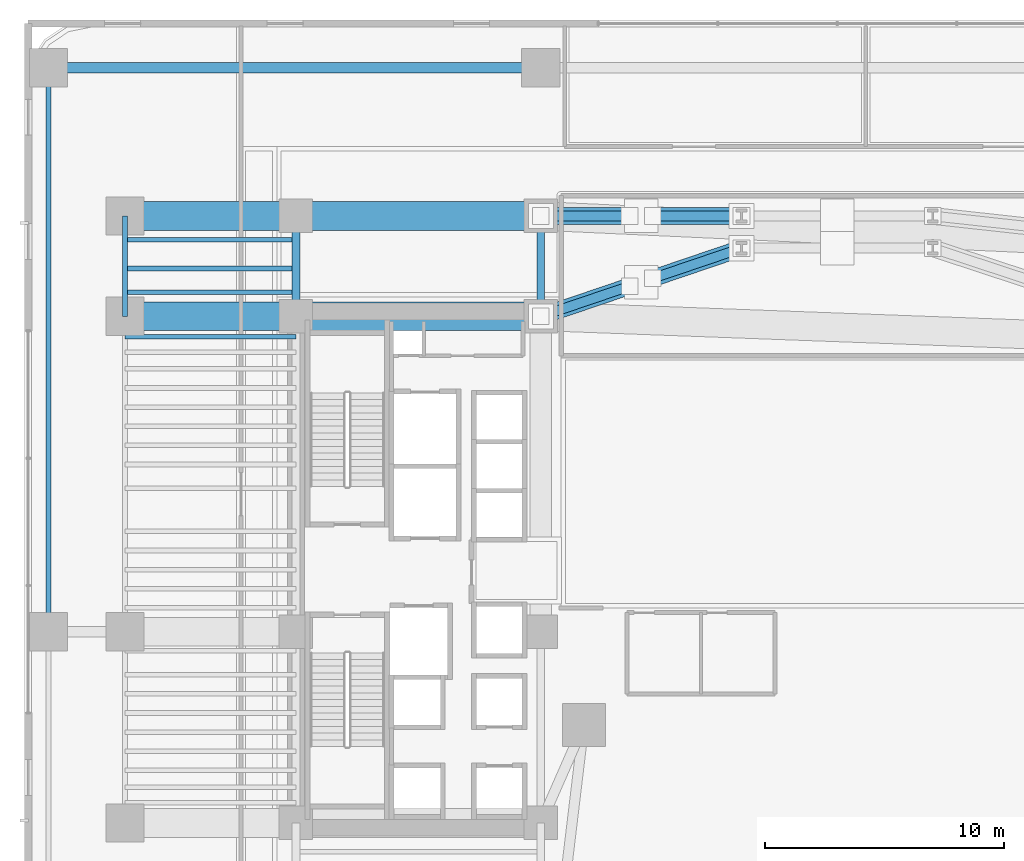
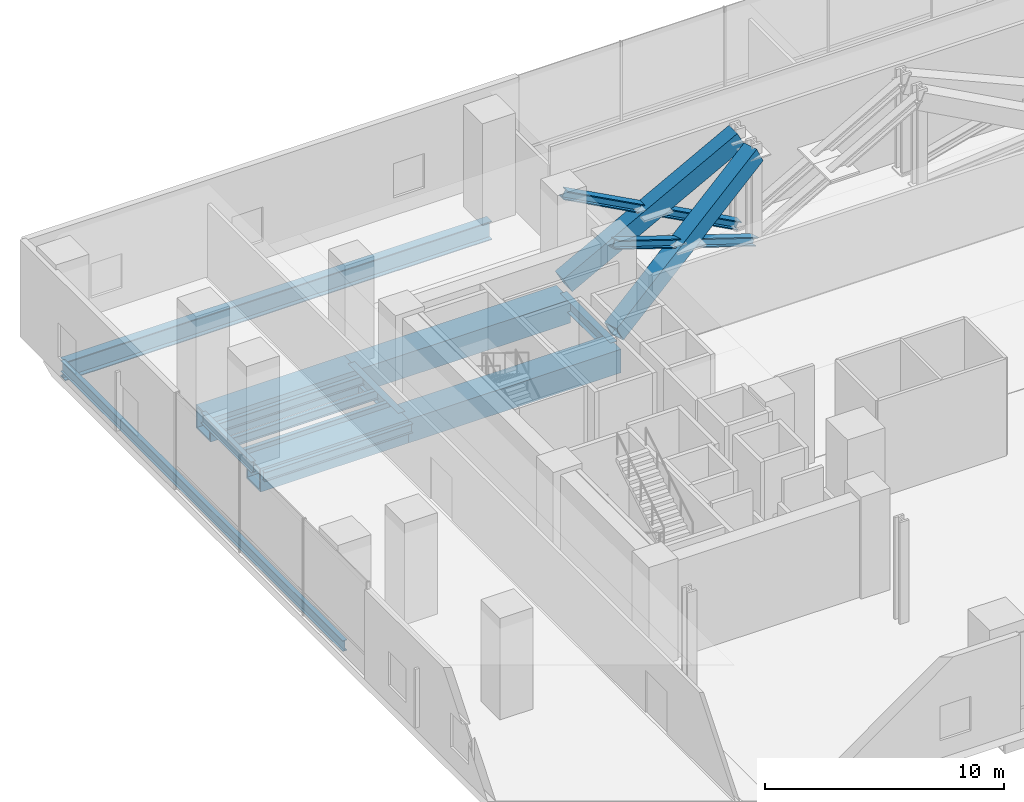
# One storey, part 13 of 41: 13 beams, 6 members.
"""IFC4 building model written with IfcOpenShell, lengths in metres."""

from ifc_helpers import new_model, si_unit, direction, frame, origin, origin_2d, place, context, subcontext, project, spatial, hollow_rectangle, i_section, extrude, source, transform, mapped, material, material_profile, profile_set, type_object, element, save


model = new_model("IFC4")

# Units and contexts
model_context = context("Model", 3, precision=1e-05, world=origin(), true_north=direction((0.0, 1.0)))
body_context = subcontext(model_context, "Body", "Model", "MODEL_VIEW")
ifc_project = project(units=[si_unit("LENGTHUNIT", "METRE"), si_unit("AREAUNIT", "SQUARE_METRE"), si_unit("VOLUMEUNIT", "CUBIC_METRE"), si_unit("PLANEANGLEUNIT", "RADIAN"), si_unit("MASSUNIT", "GRAM", prefix="KILO")], contexts=[model_context])

# Site, building, storey
site_placement = place(None, origin())
site = spatial("IfcSite", under=ifc_project, at=site_placement, CompositionType="ELEMENT")
building_placement = place(site_placement, origin())
building = spatial("IfcBuilding", under=site, at=building_placement, Name="Valdorenza Pilgrim Sanctuary Tower", CompositionType="ELEMENT")
storey_placement = place(building_placement, frame((0.0, 0.0, 20.800048828125)))
storey = spatial("IfcBuildingStorey", under=building, at=storey_placement, Name="L04", CompositionType="ELEMENT", Elevation=20.800048828125)

# Beams
ifc_material_1 = material(Name="Steel ASTM A992 Grade 50", Category="steel")
ifc_material_profile_1 = material_profile(ifc_material_1, i_section(OverallWidth=0.214111328125, OverallDepth=0.549072265625, WebThickness=0.0146484375, FlangeThickness=0.023681640625, at=origin_2d()), Name="W21X93")
ifc_profile_set_1 = profile_set([ifc_material_profile_1], Name="Steel ASTM A992 Grade 50")
beam_type_1 = type_object("IfcBeamType", Name="STR-BM-SPN-W21A", PredefinedType="SPANDREL", material=ifc_profile_set_1)
shared_shape_1 = source(origin(), body_context, "Body", "SweptSolid", [
    extrude(i_section(OverallWidth=0.214111328125, OverallDepth=0.549072265625, WebThickness=0.0146484375, FlangeThickness=0.023681640625, at=origin_2d()), origin(), (0.0, 0.0, 1.0), 4.199951171875),
])
beam_1_placement = place(storey_placement, frame((-29.800048828125, 10.60009765625, -0.674560546875), z_axis=(0.0, 1.0, 0.0), x_axis=(-1.0, 0.0, 0.0)))
element("IfcBeam", 1, at=beam_1_placement, inside=storey, type_object=beam_type_1, Name="L04 Spandrel Beam WA-W-N1N2", PredefinedType="SPANDREL", context=body_context, shape_type="MappedRepresentation", body=[
    mapped(shared_shape_1, transform((0.0, 0.0, 0.0), x_axis=(1.0, 0.0, 0.0), y_axis=(0.0, 1.0, 0.0), z_axis=(0.0, 0.0, 1.0), scale=1.0)),
])
ifc_material_profile_2 = material_profile(ifc_material_1, i_section(OverallWidth=0.323974609375, OverallDepth=0.611083984375, WebThickness=0.0126953125, FlangeThickness=0.01904296875, at=origin_2d()), Name="W24X104")
ifc_profile_set_2 = profile_set([ifc_material_profile_2], Name="Steel ASTM A992 Grade 50")
beam_type_2 = type_object("IfcBeamType", Name="STR-BM-GRD-W24B", PredefinedType="BEAM", material=ifc_profile_set_2)
shared_shape_2 = source(origin(), body_context, "Body", "SweptSolid", [
    extrude(i_section(OverallWidth=0.323974609375, OverallDepth=0.611083984375, WebThickness=0.0126953125, FlangeThickness=0.01904296875, at=origin_2d()), origin(), (0.0, 0.0, 1.0), 4.199951171875),
])
for number, where, z_axis, x_axis, name in (
    (2, (-22.64990234375, 10.60009765625, -0.70556640625), (0.0, 1.0, 0.0), (-1.0, 0.0, 0.0), "L04 Core Tie Girder CA-W-N1N2"),
    (3, (-12.39990234375, 10.60009765625, -0.70556640625), (0.0, 1.0, 0.0), (-1.0, 0.0, 0.0), "L04 Core Tie Girder CA-E-N1N2"),
):
    element("IfcBeam", number, at=place(storey_placement, frame(where, z_axis=z_axis, x_axis=x_axis)), inside=storey, type_object=beam_type_2, Name=name, PredefinedType="BEAM", context=body_context, shape_type="MappedRepresentation", body=[
        mapped(shared_shape_2, transform((0.0, 0.0, 0.0), x_axis=(1.0, 0.0, 0.0), y_axis=(0.0, 1.0, 0.0), z_axis=(0.0, 0.0, 1.0), scale=1.0)),
    ])
ifc_material_profile_3 = material_profile(ifc_material_1, i_section(OverallWidth=0.193115234375, OverallDepth=0.466064453125, WebThickness=0.011474609375, FlangeThickness=0.01904296875, at=origin_2d()), Name="W18X65")
ifc_profile_set_3 = profile_set([ifc_material_profile_3], Name="Steel ASTM A992 Grade 50")
beam_type_3 = type_object("IfcBeamType", Name="STR-BM-JST-W18A", PredefinedType="JOIST", material=ifc_profile_set_3)
shared_shape_3 = source(origin(), body_context, "Body", "SweptSolid", [
    extrude(i_section(OverallWidth=0.193115234375, OverallDepth=0.466064453125, WebThickness=0.011474609375, FlangeThickness=0.01904296875, at=origin_2d()), origin(), (0.0, 0.0, 1.0), 7.150146484375),
])
for number, where, z_axis, x_axis, name in (
    (4, (-29.800048828125, 9.75, -0.633056640625), (1.0, 0.0, 0.0), (0.0, 1.0, 0.0), "L04 Composite Floor Joist JST-WA-23"),
    (5, (-29.800048828125, 11.60009765625, -0.633056640625), (1.0, 0.0, 0.0), (0.0, 1.0, 0.0), "L04 Composite Floor Joist JST-WA-24"),
    (6, (-29.800048828125, 12.60009765625, -0.633056640625), (1.0, 0.0, 0.0), (0.0, 1.0, 0.0), "L04 Composite Floor Joist JST-WA-25"),
    (7, (-29.800048828125, 13.800048828125, -0.633056640625), (1.0, 0.0, 0.0), (0.0, 1.0, 0.0), "L04 Composite Floor Joist JST-WA-26"),
):
    element("IfcBeam", number, at=place(storey_placement, frame(where, z_axis=z_axis, x_axis=x_axis)), inside=storey, type_object=beam_type_3, Name=name, PredefinedType="JOIST", context=body_context, shape_type="MappedRepresentation", body=[
        mapped(shared_shape_3, transform((0.0, 0.0, 0.0), x_axis=(1.0, 0.0, 0.0), y_axis=(0.0, 1.0, 0.0), z_axis=(0.0, 0.0, 1.0), scale=1.0)),
    ])
shared_shape_4 = source(origin(), body_context, "Body", "SweptSolid", [
    extrude(i_section(OverallWidth=0.214111328125, OverallDepth=0.549072265625, WebThickness=0.0146484375, FlangeThickness=0.023681640625, at=origin_2d()), origin(), (0.0, 0.0, 1.0), 23.60009765625),
])
beam_2_placement = place(storey_placement, frame((-33.0, -2.60009765625, -0.674560546875), z_axis=(0.0, 1.0, 0.0), x_axis=(-1.0, 0.0, 0.0)))
element("IfcBeam", 8, at=beam_2_placement, inside=storey, type_object=beam_type_1, Name="L04 Floor Girder POD-SPN-WN", PredefinedType="SPANDREL", context=body_context, shape_type="MappedRepresentation", body=[
    mapped(shared_shape_4, transform((0.0, 0.0, 0.0), x_axis=(1.0, 0.0, 0.0), y_axis=(0.0, 1.0, 0.0), z_axis=(0.0, 0.0, 1.0), scale=1.0)),
])
ifc_material_profile_4 = material_profile(ifc_material_1, i_section(OverallWidth=0.423095703125, OverallDepth=0.947998046875, WebThickness=0.02392578125, FlangeThickness=0.042724609375, at=origin_2d()), Name="W36X302")
ifc_profile_set_4 = profile_set([ifc_material_profile_4], Name="Steel ASTM A992 Grade 50")
beam_type_4 = type_object("IfcBeamType", Name="STR-BM-GRD-W36A", PredefinedType="BEAM", material=ifc_profile_set_4)
shared_shape_5 = source(origin(), body_context, "Body", "SweptSolid", [
    extrude(i_section(OverallWidth=0.423095703125, OverallDepth=0.947998046875, WebThickness=0.02392578125, FlangeThickness=0.042724609375, at=origin_2d()), origin(), (0.0, 0.0, 1.0), 20.60009765625),
])
beam_3_placement = place(storey_placement, frame((-33.0, 21.0, -0.8740234375), z_axis=(1.0, 0.0, 0.0), x_axis=(0.0, 1.0, 0.0)))
element("IfcBeam", 9, at=beam_3_placement, inside=storey, type_object=beam_type_4, Name="L04 Floor Girder POD-N-TIE1", PredefinedType="BEAM", context=body_context, shape_type="MappedRepresentation", body=[
    mapped(shared_shape_5, transform((0.0, 0.0, 0.0), x_axis=(1.0, 0.0, 0.0), y_axis=(0.0, 1.0, 0.0), z_axis=(0.0, 0.0, 1.0), scale=1.0)),
])
ifc_material_2 = material(Name="Steel ASTM A572 Grade 42", Category="steel")
ifc_material_profile_5 = material_profile(ifc_material_2, hollow_rectangle(XDim=1.199951171875, YDim=1.199951171875, WallThickness=0.090087890625, at=origin_2d()), Name="BOX 1200x1200x90")
ifc_profile_set_5 = profile_set([ifc_material_profile_5], Name="Steel ASTM A572 Grade 42")
beam_type_5 = type_object("IfcBeamType", Name="STR-BM-TRF-1200", PredefinedType="BEAM", material=ifc_profile_set_5)
shared_shape_6 = source(origin(), body_context, "Body", "SweptSolid", [
    extrude(hollow_rectangle(XDim=1.199951171875, YDim=1.199951171875, WallThickness=0.090087890625, at=origin_2d()), origin(), (0.0, 0.0, 1.0), 7.150146484375),
])
for number, where, z_axis, x_axis, name in (
    (10, (-29.800048828125, 10.60009765625, -1.0), (1.0, 0.0, 0.0), (0.0, 1.0, 0.0), "L04 Transfer Girder WA-XW-N1"),
    (11, (-29.800048828125, 14.800048828125, -1.0), (1.0, 0.0, 0.0), (0.0, 1.0, 0.0), "L04 Transfer Girder WA-XW-N2"),
):
    element("IfcBeam", number, at=place(storey_placement, frame(where, z_axis=z_axis, x_axis=x_axis)), inside=storey, type_object=beam_type_5, Name=name, PredefinedType="BEAM", context=body_context, shape_type="MappedRepresentation", body=[
        mapped(shared_shape_6, transform((0.0, 0.0, 0.0), x_axis=(1.0, 0.0, 0.0), y_axis=(0.0, 1.0, 0.0), z_axis=(0.0, 0.0, 1.0), scale=1.0)),
    ])
shared_shape_7 = source(origin(), body_context, "Body", "SweptSolid", [
    extrude(hollow_rectangle(XDim=1.199951171875, YDim=1.199951171875, WallThickness=0.090087890625, at=origin_2d()), origin(), (0.0, 0.0, 1.0), 10.25),
])
for number, where, z_axis, x_axis, name in (
    (12, (-22.64990234375, 10.60009765625, -1.0), (1.0, 0.0, 0.0), (0.0, 1.0, 0.0), "L04 Transfer Girder CA-XC-N1"),
    (13, (-22.64990234375, 14.800048828125, -1.0), (1.0, 0.0, 0.0), (0.0, 1.0, 0.0), "L04 Transfer Girder CA-XC-N2"),
):
    element("IfcBeam", number, at=place(storey_placement, frame(where, z_axis=z_axis, x_axis=x_axis)), inside=storey, type_object=beam_type_5, Name=name, PredefinedType="BEAM", context=body_context, shape_type="MappedRepresentation", body=[
        mapped(shared_shape_7, transform((0.0, 0.0, 0.0), x_axis=(1.0, 0.0, 0.0), y_axis=(0.0, 1.0, 0.0), z_axis=(0.0, 0.0, 1.0), scale=1.0)),
    ])

# Members
ifc_material_profile_6 = material_profile(ifc_material_2, hollow_rectangle(XDim=0.699951171875, YDim=0.89990234375, WallThickness=0.070068359375, at=origin_2d()), Name="BOX 900x700x70")
ifc_profile_set_6 = profile_set([ifc_material_profile_6], Name="Steel ASTM A572 Grade 42")
member_type_1 = type_object("IfcMemberType", Name="STR-MB-OUT-BOX900", PredefinedType="BRACE", material=ifc_profile_set_6)
shared_shape_8 = source(origin(), body_context, "Body", "SweptSolid", [
    extrude(hollow_rectangle(XDim=0.699951171875, YDim=0.89990234375, WallThickness=0.070068359375, at=origin_2d()), origin(), (0.0, 0.0, 1.0), 9.9462890625),
])
member_1_placement = place(storey_placement, frame((-12.39990234375, 10.60009765625, 0.14990234375), z_axis=(0.844520466331, 0.286522333415, 0.452426938192), x_axis=(-0.321284885018, 0.946982588361, 0.0)))
element("IfcMember", 14, at=member_1_placement, inside=storey, type_object=member_type_1, Name="L04 Transfer Truss Web Diagonal W1", PredefinedType="BRACE", context=body_context, shape_type="MappedRepresentation", body=[
    mapped(shared_shape_8, transform((0.0, 0.0, 0.0), x_axis=(1.0, 0.0, 0.0), y_axis=(0.0, 1.0, 0.0), z_axis=(0.0, 0.0, 1.0), scale=1.0)),
])
ifc_material_profile_7 = material_profile(ifc_material_1, i_section(OverallWidth=0.406005859375, OverallDepth=0.416015625, WebThickness=0.02978515625, FlangeThickness=0.048095703125, at=origin_2d()), Name="W14X257")
ifc_profile_set_7 = profile_set([ifc_material_profile_7], Name="Steel ASTM A992 Grade 50")
member_type_2 = type_object("IfcMemberType", Name="STR-MB-OUT-W257", PredefinedType="BRACE", material=ifc_profile_set_7)
shared_shape_9 = source(origin(), body_context, "Body", "SweptSolid", [
    extrude(i_section(OverallWidth=0.406005859375, OverallDepth=0.416015625, WebThickness=0.02978515625, FlangeThickness=0.048095703125, at=origin_2d()), origin(), (0.0, 0.0, 1.0), 4.4033203125),
])
member_2_placement = place(storey_placement, frame((-12.39990234375, 10.60009765625, 4.64990234375), z_axis=(0.844519718359, 0.286533475872, -0.452421277692), x_axis=(-0.32129634475, 0.946978700315, 0.0)))
element("IfcMember", 15, at=member_2_placement, inside=storey, type_object=member_type_2, Name="L04 Transfer Counter-Diagonal W1 Lower Segment", PredefinedType="BRACE", context=body_context, shape_type="MappedRepresentation", body=[
    mapped(shared_shape_9, transform((0.0, 0.0, 0.0), x_axis=(1.0, 0.0, 0.0), y_axis=(0.0, 1.0, 0.0), z_axis=(0.0, 0.0, 1.0), scale=1.0)),
])
shared_shape_10 = source(origin(), body_context, "Body", "SweptSolid", [
    extrude(i_section(OverallWidth=0.406005859375, OverallDepth=0.416015625, WebThickness=0.02978515625, FlangeThickness=0.048095703125, at=origin_2d()), origin(), (0.0, 0.0, 1.0), 4.40380859375),
])
member_3_placement = place(storey_placement, frame((-7.718994140625, 12.188232421875, 2.142333984375), z_axis=(0.844514434963, 0.28651287336, -0.452444187208), x_axis=(-0.321277429801, 0.946985117676, 0.0)))
element("IfcMember", 16, at=member_3_placement, inside=storey, type_object=member_type_2, Name="L04 Transfer Counter-Diagonal W1 Upper Segment", PredefinedType="BRACE", context=body_context, shape_type="MappedRepresentation", body=[
    mapped(shared_shape_10, transform((0.0, 0.0, 0.0), x_axis=(1.0, 0.0, 0.0), y_axis=(0.0, 1.0, 0.0), z_axis=(0.0, 0.0, 1.0), scale=1.0)),
])
shared_shape_11 = source(origin(), body_context, "Body", "SweptSolid", [
    extrude(hollow_rectangle(XDim=0.699951171875, YDim=0.89990234375, WallThickness=0.070068359375, at=origin_2d()), origin(), (0.0, 0.0, 1.0), 9.529296875),
])
member_4_placement = place(storey_placement, frame((-12.39990234375, 14.800048828125, 0.14990234375), z_axis=(0.881477684796, 0.0, 0.472225678258), x_axis=(0.0, 1.0, 0.0)))
element("IfcMember", 17, at=member_4_placement, inside=storey, type_object=member_type_1, Name="L04 Transfer Truss Web Diagonal W2", PredefinedType="BRACE", context=body_context, shape_type="MappedRepresentation", body=[
    mapped(shared_shape_11, transform((0.0, 0.0, 0.0), x_axis=(1.0, 0.0, 0.0), y_axis=(0.0, 1.0, 0.0), z_axis=(0.0, 0.0, 1.0), scale=1.0)),
])
shared_shape_12 = source(origin(), body_context, "Body", "SweptSolid", [
    extrude(i_section(OverallWidth=0.406005859375, OverallDepth=0.416015625, WebThickness=0.02978515625, FlangeThickness=0.048095703125, at=origin_2d()), origin(), (0.0, 0.0, 1.0), 4.212158203125),
])
for number, where, z_axis, x_axis, name in (
    (18, (-12.39990234375, 14.800048828125, 4.64990234375), (0.881483416695, 0.0, -0.472214978683), (0.0, 1.0, 0.0), "L04 Transfer Counter-Diagonal W2 Lower Segment"),
    (19, (-7.712890625, 14.800048828125, 2.13916015625), (0.881459289614, 0.0, -0.472260013925), (0.0, 1.0, 0.0), "L04 Transfer Counter-Diagonal W2 Upper Segment"),
):
    element("IfcMember", number, at=place(storey_placement, frame(where, z_axis=z_axis, x_axis=x_axis)), inside=storey, type_object=member_type_2, Name=name, PredefinedType="BRACE", context=body_context, shape_type="MappedRepresentation", body=[
        mapped(shared_shape_12, transform((0.0, 0.0, 0.0), x_axis=(1.0, 0.0, 0.0), y_axis=(0.0, 1.0, 0.0), z_axis=(0.0, 0.0, 1.0), scale=1.0)),
    ])

save(model, "model.ifc")
